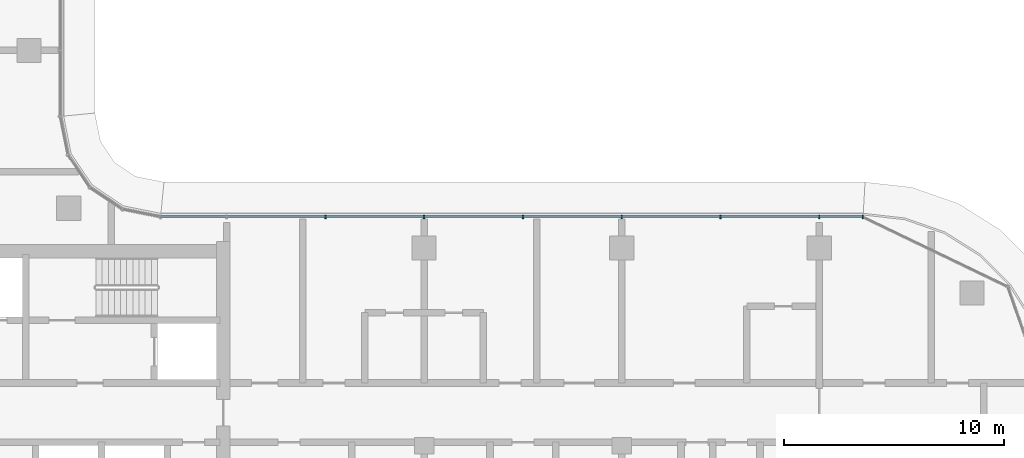
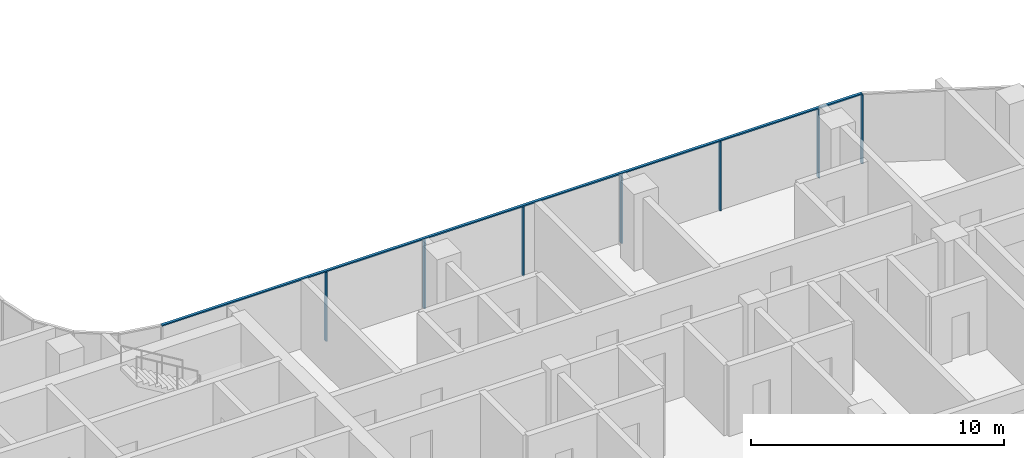
# One storey, part 4 of 24: 8 members, 1 element without a shape of its own.
"""IFC4 building model written with IfcOpenShell, lengths in metres."""

from ifc_helpers import new_model, si_unit, direction, frame, origin, origin_2d, place, context, subcontext, project, spatial, rectangle, extrude, material, material_profile, profile_set, type_object, element, aggregate, save


model = new_model("IFC4")

# Units and contexts
model_context = context("Model", 3, precision=1e-05, world=origin(), true_north=direction((0.0, 1.0)))
body_context = subcontext(model_context, "Body", "Model", "MODEL_VIEW")
ifc_project = project(units=[si_unit("LENGTHUNIT", "METRE"), si_unit("AREAUNIT", "SQUARE_METRE"), si_unit("VOLUMEUNIT", "CUBIC_METRE"), si_unit("PLANEANGLEUNIT", "RADIAN"), si_unit("MASSUNIT", "GRAM", prefix="KILO")], contexts=[model_context])

# Site, building, storey
site_placement = place(None, origin())
site = spatial("IfcSite", under=ifc_project, at=site_placement, CompositionType="ELEMENT")
building_placement = place(site_placement, origin())
building = spatial("IfcBuilding", under=site, at=building_placement, Name="Ogive Portal Towers", CompositionType="ELEMENT")
storey_placement = place(building_placement, frame((0.0, 0.0, 142.199951171875)))
storey = spatial("IfcBuildingStorey", under=building, at=storey_placement, Name="L34", CompositionType="ELEMENT", Elevation=142.199951171875)

# Curtain wall, members
ifc_material_1 = material(Name="Glass, clear low-iron insulated glazing", Category="glass")
curtain_wall_type = type_object("IfcCurtainWallType", Name="CW FRONT RIBBON 4500", PredefinedType="NOTDEFINED", material=ifc_material_1)
curtain_wall_placement = place(storey_placement, origin())
curtain_wall = element("IfcCurtainWall", 1, at=curtain_wall_placement, inside=storey, type_object=curtain_wall_type, Name="A:L34:f12:cw0", PredefinedType="NOTDEFINED")
ifc_material_2 = material(Name="Aluminium 6063 anodised", Category="aluminium")
ifc_material_profile_1 = material_profile(ifc_material_2, rectangle(XDim=0.159912109375, YDim=0.06005859375, at=origin_2d()), Name="AL 60x160")
ifc_profile_set_1 = profile_set([ifc_material_profile_1], Name="Aluminium 6063 anodised")
member_type_1 = type_object("IfcMemberType", Name="CW MULLION 60x160", PredefinedType="MULLION", material=ifc_profile_set_1)
member_1_placement = place(storey_placement, frame((87.481689453125, 40.919921875, 0.0), z_axis=(0.0, 0.0, 1.0), x_axis=(0.0, -1.0, 0.0)))
member_1 = element("IfcMember", 2, at=member_1_placement, type_object=member_type_1, Name="mullion", PredefinedType="MULLION", context=body_context, shape_type="SweptSolid", body=[
    extrude(rectangle(XDim=0.159912109375, YDim=0.06005859375, at=origin_2d()), origin(), (0.0, 0.0, 1.0), 3.340087890625),
])
member_2_placement = place(storey_placement, frame((85.5, 40.919921875, 0.0), z_axis=(0.0, 0.0, 1.0), x_axis=(0.0, -1.0, 0.0)))
member_2 = element("IfcMember", 3, at=member_2_placement, type_object=member_type_1, Name="mullion", PredefinedType="MULLION", context=body_context, shape_type="SweptSolid", body=[
    extrude(rectangle(XDim=0.159912109375, YDim=0.06005859375, at=origin_2d()), origin(), (0.0, 0.0, 1.0), 3.340087890625),
])
member_3_placement = place(storey_placement, frame((81.0, 40.919921875, 0.0), z_axis=(0.0, 0.0, 1.0), x_axis=(0.0, -1.0, 0.0)))
member_3 = element("IfcMember", 4, at=member_3_placement, type_object=member_type_1, Name="mullion", PredefinedType="MULLION", context=body_context, shape_type="SweptSolid", body=[
    extrude(rectangle(XDim=0.159912109375, YDim=0.06005859375, at=origin_2d()), origin(), (0.0, 0.0, 1.0), 3.340087890625),
])
member_4_placement = place(storey_placement, frame((76.5, 40.919921875, 0.0), z_axis=(0.0, 0.0, 1.0), x_axis=(0.0, -1.0, 0.0)))
member_4 = element("IfcMember", 5, at=member_4_placement, type_object=member_type_1, Name="mullion", PredefinedType="MULLION", context=body_context, shape_type="SweptSolid", body=[
    extrude(rectangle(XDim=0.159912109375, YDim=0.06005859375, at=origin_2d()), origin(), (0.0, 0.0, 1.0), 3.340087890625),
])
member_5_placement = place(storey_placement, frame((72.0, 40.919921875, 0.0), z_axis=(0.0, 0.0, 1.0), x_axis=(0.0, -1.0, 0.0)))
member_5 = element("IfcMember", 6, at=member_5_placement, type_object=member_type_1, Name="mullion", PredefinedType="MULLION", context=body_context, shape_type="SweptSolid", body=[
    extrude(rectangle(XDim=0.159912109375, YDim=0.06005859375, at=origin_2d()), origin(), (0.0, 0.0, 1.0), 3.340087890625),
])
member_6_placement = place(storey_placement, frame((67.5, 40.919921875, 0.0), z_axis=(0.0, 0.0, 1.0), x_axis=(0.0, -1.0, 0.0)))
member_6 = element("IfcMember", 7, at=member_6_placement, type_object=member_type_1, Name="mullion", PredefinedType="MULLION", context=body_context, shape_type="SweptSolid", body=[
    extrude(rectangle(XDim=0.159912109375, YDim=0.06005859375, at=origin_2d()), origin(), (0.0, 0.0, 1.0), 3.340087890625),
])
member_7_placement = place(storey_placement, frame((63.0, 40.919921875, 0.0), z_axis=(0.0, 0.0, 1.0), x_axis=(0.0, -1.0, 0.0)))
member_7 = element("IfcMember", 8, at=member_7_placement, type_object=member_type_1, Name="mullion", PredefinedType="MULLION", context=body_context, shape_type="SweptSolid", body=[
    extrude(rectangle(XDim=0.159912109375, YDim=0.06005859375, at=origin_2d()), origin(), (0.0, 0.0, 1.0), 3.340087890625),
])
ifc_material_profile_2 = material_profile(ifc_material_2, rectangle(XDim=0.1201171875, YDim=0.06005859375, at=origin_2d()), Name="AL 120x60")
ifc_profile_set_2 = profile_set([ifc_material_profile_2], Name="Aluminium 6063 anodised")
member_type_2 = type_object("IfcMemberType", Name="CW TRANSOM 60x120", PredefinedType="USERDEFINED", material=ifc_profile_set_2)
member_8_placement = place(storey_placement, frame((87.481689453125, 40.919921875, 3.3701171875), z_axis=(-1.0, 0.0, 0.0), x_axis=(0.0, -1.0, 0.0)))
member_8 = element("IfcMember", 9, at=member_8_placement, type_object=member_type_2, Name="transom", ObjectType="TRANSOM", PredefinedType="USERDEFINED", context=body_context, shape_type="SweptSolid", body=[
    extrude(rectangle(XDim=0.1201171875, YDim=0.06005859375, at=origin_2d()), origin(), (0.0, 0.0, 1.0), 31.989501953125),
])
aggregate(curtain_wall, [member_8, member_1, member_2, member_3, member_4, member_5, member_6, member_7])

save(model, "model.ifc")
